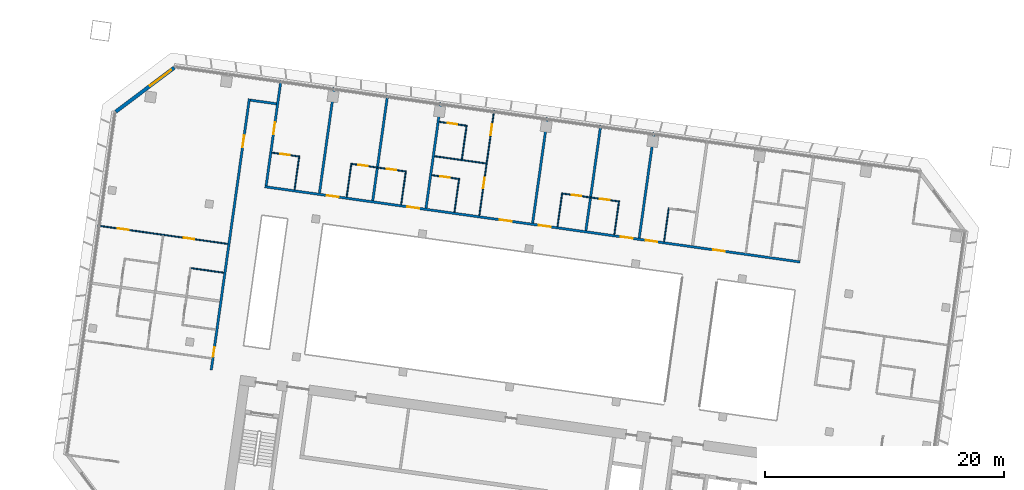
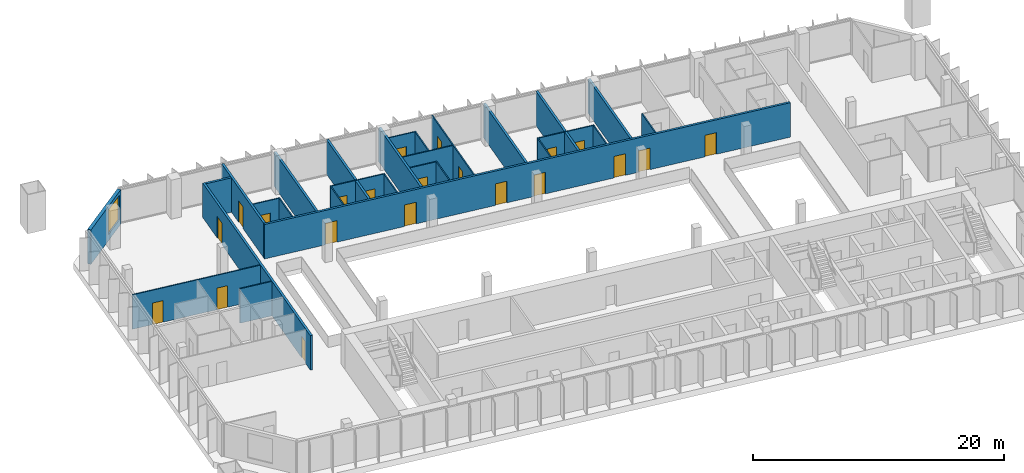
# One storey, part 16 of 26: 28 walls, 21 doors, 1 window, 22 openings.
"""IFC4 building model written with IfcOpenShell, lengths in metres."""

from ifc_helpers import new_model, si_unit, direction, frame, frame_2d, origin, place, context, subcontext, project, spatial, rectangle, extrude, material, layer, layer_set, type_object, element, fill, save


model = new_model("IFC4")

# Units and contexts
model_context = context("Model", 3, precision=1e-05, world=origin(), true_north=direction((0.0, 1.0)))
body_context = subcontext(model_context, "Body", "Model", "MODEL_VIEW")
ifc_project = project(units=[si_unit("LENGTHUNIT", "METRE"), si_unit("AREAUNIT", "SQUARE_METRE"), si_unit("VOLUMEUNIT", "CUBIC_METRE"), si_unit("PLANEANGLEUNIT", "RADIAN"), si_unit("MASSUNIT", "GRAM", prefix="KILO")], contexts=[model_context])

# Site, building, storey
site_placement = place(None, origin())
site = spatial("IfcSite", under=ifc_project, at=site_placement, CompositionType="ELEMENT")
building_placement = place(site_placement, origin())
building = spatial("IfcBuilding", under=site, at=building_placement, Name="Mirante Cascada Hotel Towers", CompositionType="ELEMENT")
storey_placement = place(building_placement, frame((0.0, 0.0, 106.3)))
storey = spatial("IfcBuildingStorey", under=building, at=storey_placement, Name="L23", CompositionType="ELEMENT", Elevation=106.3)

# Wall, openings, doors
ifc_material_1 = material(Name="Fire-rated plasterboard on metal studs")
ifc_layer_1 = layer(ifc_material_1, 0.2)
ifc_layer_set_1 = layer_set([ifc_layer_1], Name="Compartment wall 200 EI 120")
wall_type_1 = type_object("IfcWallType", Name="Compartment wall 200 EI 120", PredefinedType="PARTITIONING", material=ifc_layer_set_1)
wall_1_placement = place(storey_placement, frame((-41.8779, 9.7676, 0.0), z_axis=(0.0, 0.0, 1.0), x_axis=(-0.9902681, 0.1391726, 0.0)))
wall_1 = element("IfcWall", 1, at=wall_1_placement, inside=storey, type_object=wall_type_1, Name="Wall 1-L23-18", PredefinedType="PARTITIONING", context=body_context, shape_type="SweptSolid", body=[
    extrude(rectangle(XDim=45.2, YDim=0.2, at=frame_2d((22.6, 0.0))), origin(), (0.0, 0.0, 1.0), 3.35),
])
opening_1_placement = place(wall_1_placement, frame((6.35, 0.0, 0.0)))
opening_1 = element("IfcOpeningElement", 2, at=opening_1_placement, cuts=wall_1, Name="Opening D1-L23-09", PredefinedType="OPENING", context=body_context, shape_type="SweptSolid", body=[
    extrude(rectangle(XDim=1.0, YDim=2.1, at=frame_2d((0.5, 1.05))), frame((0.0, 0.1, 0.0), z_axis=(0.0, -1.0, 0.0), x_axis=(1.0, 0.0, 0.0)), (0.0, 0.0, 1.0), 0.2),
])
opening_2_placement = place(wall_1_placement, frame((12.05, 0.0, 0.0)))
opening_2 = element("IfcOpeningElement", 3, at=opening_2_placement, cuts=wall_1, Name="Opening D1-L23-10", PredefinedType="OPENING", context=body_context, shape_type="SweptSolid", body=[
    extrude(rectangle(XDim=1.0, YDim=2.1, at=frame_2d((0.5, 1.05))), frame((0.0, 0.1, 0.0), z_axis=(0.0, -1.0, 0.0), x_axis=(1.0, 0.0, 0.0)), (0.0, 0.0, 1.0), 0.2),
])
opening_3_placement = place(wall_1_placement, frame((14.15, 0.0, 0.0)))
opening_3 = element("IfcOpeningElement", 4, at=opening_3_placement, cuts=wall_1, Name="Opening D1-L23-11", PredefinedType="OPENING", context=body_context, shape_type="SweptSolid", body=[
    extrude(rectangle(XDim=1.0, YDim=2.1, at=frame_2d((0.5, 1.05))), frame((0.0, 0.1, 0.0), z_axis=(0.0, -1.0, 0.0), x_axis=(1.0, 0.0, 0.0)), (0.0, 0.0, 1.0), 0.2),
])
opening_4_placement = place(wall_1_placement, frame((21.05, 0.0, 0.0)))
opening_4 = element("IfcOpeningElement", 5, at=opening_4_placement, cuts=wall_1, Name="Opening D1-L23-12", PredefinedType="OPENING", context=body_context, shape_type="SweptSolid", body=[
    extrude(rectangle(XDim=1.0, YDim=2.1, at=frame_2d((0.5, 1.05))), frame((0.0, 0.1, 0.0), z_axis=(0.0, -1.0, 0.0), x_axis=(1.0, 0.0, 0.0)), (0.0, 0.0, 1.0), 0.2),
])
opening_5_placement = place(wall_1_placement, frame((24.35, 0.0, 0.0)))
opening_5 = element("IfcOpeningElement", 6, at=opening_5_placement, cuts=wall_1, Name="Opening D1-L23-13", PredefinedType="OPENING", context=body_context, shape_type="SweptSolid", body=[
    extrude(rectangle(XDim=1.0, YDim=2.1, at=frame_2d((0.5, 1.05))), frame((0.0, 0.1, 0.0), z_axis=(0.0, -1.0, 0.0), x_axis=(1.0, 0.0, 0.0)), (0.0, 0.0, 1.0), 0.2),
])
opening_6_placement = place(wall_1_placement, frame((32.15, 0.0, 0.0)))
opening_6 = element("IfcOpeningElement", 7, at=opening_6_placement, cuts=wall_1, Name="Opening D1-L23-14", PredefinedType="OPENING", context=body_context, shape_type="SweptSolid", body=[
    extrude(rectangle(XDim=1.0, YDim=2.1, at=frame_2d((0.5, 1.05))), frame((0.0, 0.1, 0.0), z_axis=(0.0, -1.0, 0.0), x_axis=(1.0, 0.0, 0.0)), (0.0, 0.0, 1.0), 0.2),
])
opening_7_placement = place(wall_1_placement, frame((38.95, 0.0, 0.0)))
opening_7 = element("IfcOpeningElement", 8, at=opening_7_placement, cuts=wall_1, Name="Opening D1-L23-15", PredefinedType="OPENING", context=body_context, shape_type="SweptSolid", body=[
    extrude(rectangle(XDim=1.0, YDim=2.1, at=frame_2d((0.5, 1.05))), frame((0.0, 0.1, 0.0), z_axis=(0.0, -1.0, 0.0), x_axis=(1.0, 0.0, 0.0)), (0.0, 0.0, 1.0), 0.2),
])
ifc_material_2 = material(Name="Fire-rated timber door leaf", Category="wood")
door_type_1 = type_object("IfcDoorType", Name="Entrance door DG1 1000x2100 EI 60", OperationType="SINGLE_SWING_LEFT", PredefinedType="DOOR", material=ifc_material_2)
door_1_placement = place(opening_1_placement, frame((1.0, 0.0, 0.0), z_axis=(0.0, 0.0, 1.0), x_axis=(-1.0, 0.0, 0.0)))
door_1 = element("IfcDoor", 9, at=door_1_placement, inside=storey, type_object=door_type_1, Name="Door D1-L23-09", OperationType="SINGLE_SWING_RIGHT", OverallHeight=2.1, OverallWidth=1.0, PredefinedType="DOOR", context=body_context, shape_type="SweptSolid", body=[
    extrude(rectangle(XDim=1.0, YDim=2.1, at=frame_2d((0.5, 1.05))), frame((0.0, 0.025, 0.0), z_axis=(0.0, -1.0, 0.0), x_axis=(1.0, 0.0, 0.0)), (0.0, 0.0, 1.0), 0.05),
])
fill(opening_1, door_1)
door_2_placement = place(opening_2_placement, frame((1.0, 0.0, 0.0), z_axis=(0.0, 0.0, 1.0), x_axis=(-1.0, 0.0, 0.0)))
door_2 = element("IfcDoor", 10, at=door_2_placement, inside=storey, type_object=door_type_1, Name="Door D1-L23-10", OperationType="SINGLE_SWING_RIGHT", OverallHeight=2.1, OverallWidth=1.0, PredefinedType="DOOR", context=body_context, shape_type="SweptSolid", body=[
    extrude(rectangle(XDim=1.0, YDim=2.1, at=frame_2d((0.5, 1.05))), frame((0.0, 0.025, 0.0), z_axis=(0.0, -1.0, 0.0), x_axis=(1.0, 0.0, 0.0)), (0.0, 0.0, 1.0), 0.05),
])
fill(opening_2, door_2)
door_3_placement = place(opening_3_placement, frame((1.0, 0.0, 0.0), z_axis=(0.0, 0.0, 1.0), x_axis=(-1.0, 0.0, 0.0)))
door_3 = element("IfcDoor", 11, at=door_3_placement, inside=storey, type_object=door_type_1, Name="Door D1-L23-11", OperationType="SINGLE_SWING_RIGHT", OverallHeight=2.1, OverallWidth=1.0, PredefinedType="DOOR", context=body_context, shape_type="SweptSolid", body=[
    extrude(rectangle(XDim=1.0, YDim=2.1, at=frame_2d((0.5, 1.05))), frame((0.0, 0.025, 0.0), z_axis=(0.0, -1.0, 0.0), x_axis=(1.0, 0.0, 0.0)), (0.0, 0.0, 1.0), 0.05),
])
fill(opening_3, door_3)
door_4_placement = place(opening_4_placement, frame((1.0, 0.0, 0.0), z_axis=(0.0, 0.0, 1.0), x_axis=(-1.0, 0.0, 0.0)))
door_4 = element("IfcDoor", 12, at=door_4_placement, inside=storey, type_object=door_type_1, Name="Door D1-L23-12", OperationType="SINGLE_SWING_RIGHT", OverallHeight=2.1, OverallWidth=1.0, PredefinedType="DOOR", context=body_context, shape_type="SweptSolid", body=[
    extrude(rectangle(XDim=1.0, YDim=2.1, at=frame_2d((0.5, 1.05))), frame((0.0, 0.025, 0.0), z_axis=(0.0, -1.0, 0.0), x_axis=(1.0, 0.0, 0.0)), (0.0, 0.0, 1.0), 0.05),
])
fill(opening_4, door_4)
door_5_placement = place(opening_5_placement, frame((1.0, 0.0, 0.0), z_axis=(0.0, 0.0, 1.0), x_axis=(-1.0, 0.0, 0.0)))
door_5 = element("IfcDoor", 13, at=door_5_placement, inside=storey, type_object=door_type_1, Name="Door D1-L23-13", OperationType="SINGLE_SWING_RIGHT", OverallHeight=2.1, OverallWidth=1.0, PredefinedType="DOOR", context=body_context, shape_type="SweptSolid", body=[
    extrude(rectangle(XDim=1.0, YDim=2.1, at=frame_2d((0.5, 1.05))), frame((0.0, 0.025, 0.0), z_axis=(0.0, -1.0, 0.0), x_axis=(1.0, 0.0, 0.0)), (0.0, 0.0, 1.0), 0.05),
])
fill(opening_5, door_5)
door_6_placement = place(opening_6_placement, frame((1.0, 0.0, 0.0), z_axis=(0.0, 0.0, 1.0), x_axis=(-1.0, 0.0, 0.0)))
door_6 = element("IfcDoor", 14, at=door_6_placement, inside=storey, type_object=door_type_1, Name="Door D1-L23-14", OperationType="SINGLE_SWING_RIGHT", OverallHeight=2.1, OverallWidth=1.0, PredefinedType="DOOR", context=body_context, shape_type="SweptSolid", body=[
    extrude(rectangle(XDim=1.0, YDim=2.1, at=frame_2d((0.5, 1.05))), frame((0.0, 0.025, 0.0), z_axis=(0.0, -1.0, 0.0), x_axis=(1.0, 0.0, 0.0)), (0.0, 0.0, 1.0), 0.05),
])
fill(opening_6, door_6)
door_7_placement = place(opening_7_placement, frame((1.0, 0.0, 0.0), z_axis=(0.0, 0.0, 1.0), x_axis=(-1.0, 0.0, 0.0)))
door_7 = element("IfcDoor", 15, at=door_7_placement, inside=storey, type_object=door_type_1, Name="Door D1-L23-15", OperationType="SINGLE_SWING_RIGHT", OverallHeight=2.1, OverallWidth=1.0, PredefinedType="DOOR", context=body_context, shape_type="SweptSolid", body=[
    extrude(rectangle(XDim=1.0, YDim=2.1, at=frame_2d((0.5, 1.05))), frame((0.0, 0.025, 0.0), z_axis=(0.0, -1.0, 0.0), x_axis=(1.0, 0.0, 0.0)), (0.0, 0.0, 1.0), 0.05),
])
fill(opening_7, door_7)

# Walls
wall_2_placement = place(storey_placement, frame((-87.8424, 23.2963, 0.0), z_axis=(0.0, 0.0, 1.0), x_axis=(0.990267, -0.139181, 0.0)))
element("IfcWall", 16, at=wall_2_placement, inside=storey, type_object=wall_type_1, Name="Wall 1-L23-29", PredefinedType="PARTITIONING", context=body_context, shape_type="SweptSolid", body=[
    extrude(rectangle(XDim=2.2, YDim=0.2, at=frame_2d((1.1, 0.0))), origin(), (0.0, 0.0, 1.0), 3.35),
])
wall_3_placement = place(storey_placement, frame((-54.0929, 20.5728, 0.0), z_axis=(0.0, 0.0, 1.0), x_axis=(-0.1391794, -0.9902672, 0.0)))
element("IfcWall", 17, at=wall_3_placement, inside=storey, type_object=wall_type_1, Name="Wall 1-L23-45", PredefinedType="PARTITIONING", context=body_context, shape_type="SweptSolid", body=[
    extrude(rectangle(XDim=8.9, YDim=0.2, at=frame_2d((4.45, 0.0))), origin(), (0.0, 0.0, 1.0), 3.35),
])
wall_4_placement = place(storey_placement, frame((-58.5492, 21.199, 0.0), z_axis=(0.0, 0.0, 1.0), x_axis=(-0.13917, -0.9902685, 0.0)))
element("IfcWall", 18, at=wall_4_placement, inside=storey, type_object=wall_type_1, Name="Wall 1-L23-47", PredefinedType="PARTITIONING", context=body_context, shape_type="SweptSolid", body=[
    extrude(rectangle(XDim=8.8999, YDim=0.2, at=frame_2d((4.45, 0.0))), origin(), (0.0, 0.0, 1.0), 3.35),
])
for number, where, z_axis, x_axis, name in (
    (19, (-63.0054, 21.8253, 0.0), (0.0, 0.0, 1.0), (-0.1391684, -0.9902687, 0.0), "Wall 1-L23-49"),
    (20, (-71.9178, 23.0779, 0.0), (0.0, 0.0, 1.0), (-0.1391684, -0.9902687, 0.0), "Wall 1-L23-53"),
    (21, (-76.374, 23.7042, 0.0), (0.0, 0.0, 1.0), (-0.1391684, -0.9902687, 0.0), "Wall 1-L23-55"),
):
    element("IfcWall", number, at=place(storey_placement, frame(where, z_axis=z_axis, x_axis=x_axis)), inside=storey, type_object=wall_type_1, Name=name, PredefinedType="PARTITIONING", context=body_context, shape_type="SweptSolid", body=[
        extrude(rectangle(XDim=8.9, YDim=0.2, at=frame_2d((4.45, 0.0))), origin(), (0.0, 0.0, 1.0), 3.35),
    ])
wall_5_placement = place(storey_placement, frame((-80.8302, 24.3304, 0.0), z_axis=(0.0, 0.0, 1.0), x_axis=(-0.13917, -0.9902685, 0.0)))
element("IfcWall", 22, at=wall_5_placement, inside=storey, type_object=wall_type_1, Name="Wall 1-L23-57", PredefinedType="PARTITIONING", context=body_context, shape_type="SweptSolid", body=[
    extrude(rectangle(XDim=8.8999, YDim=0.2, at=frame_2d((4.45, 0.0))), origin(), (0.0, 0.0, 1.0), 3.35),
])

# Wall, opening, door
wall_6_placement = place(storey_placement, frame((-85.2864, 24.9567, 0.0), z_axis=(0.0, 0.0, 1.0), x_axis=(-0.1391684, -0.9902687, 0.0)))
wall_6 = element("IfcWall", 23, at=wall_6_placement, inside=storey, type_object=wall_type_1, Name="Wall 1-L23-59", PredefinedType="PARTITIONING", context=body_context, shape_type="SweptSolid", body=[
    extrude(rectangle(XDim=8.9, YDim=0.2, at=frame_2d((4.45, 0.0))), origin(), (0.0, 0.0, 1.0), 3.35),
])
opening_8_placement = place(wall_6_placement, frame((3.55, 0.0, 0.0)))
opening_8 = element("IfcOpeningElement", 24, at=opening_8_placement, cuts=wall_6, Name="Opening D1-L23-36", PredefinedType="OPENING", context=body_context, shape_type="SweptSolid", body=[
    extrude(rectangle(XDim=1.0, YDim=2.1, at=frame_2d((0.5, 1.05))), frame((0.0, 0.1, 0.0), z_axis=(0.0, -1.0, 0.0), x_axis=(1.0, 0.0, 0.0)), (0.0, 0.0, 1.0), 0.2),
])
door_8_placement = place(opening_8_placement, origin())
door_8 = element("IfcDoor", 25, at=door_8_placement, inside=storey, type_object=door_type_1, Name="Door D1-L23-36", OperationType="SINGLE_SWING_LEFT", OverallHeight=2.1, OverallWidth=1.0, PredefinedType="DOOR", context=body_context, shape_type="SweptSolid", body=[
    extrude(rectangle(XDim=1.0, YDim=2.1, at=frame_2d((0.5, 1.05))), frame((0.0, 0.025, 0.0), z_axis=(0.0, -1.0, 0.0), x_axis=(1.0, 0.0, 0.0)), (0.0, 0.0, 1.0), 0.05),
])
fill(opening_8, door_8)

# Wall, openings, doors
wall_7_placement = place(storey_placement, frame((-91.1145, 0.7321, 0.0), z_axis=(0.0, 0.0, 1.0), x_axis=(0.1391706, 0.9902684, 0.0)))
wall_7 = element("IfcWall", 26, at=wall_7_placement, inside=storey, type_object=wall_type_1, Name="Wall 1-L23-60", PredefinedType="PARTITIONING", context=body_context, shape_type="SweptSolid", body=[
    extrude(rectangle(XDim=22.9, YDim=0.2, at=frame_2d((11.45, 0.0))), origin(), (0.0, 0.0, 1.0), 3.35),
])
opening_9_placement = place(wall_7_placement, frame((1.1167, 0.0, 0.0)))
opening_9 = element("IfcOpeningElement", 27, at=opening_9_placement, cuts=wall_7, Name="Opening D1-L23-37", PredefinedType="OPENING", context=body_context, shape_type="SweptSolid", body=[
    extrude(rectangle(XDim=0.8, YDim=2.1, at=frame_2d((0.4, 1.05))), frame((0.0, 0.1, 0.0), z_axis=(0.0, -1.0, 0.0), x_axis=(1.0, 0.0, 0.0)), (0.0, 0.0, 1.0), 0.2),
])
opening_10_placement = place(wall_7_placement, frame((18.8, 0.0, 0.0)))
opening_10 = element("IfcOpeningElement", 28, at=opening_10_placement, cuts=wall_7, Name="Opening D1-L23-38", PredefinedType="OPENING", context=body_context, shape_type="SweptSolid", body=[
    extrude(rectangle(XDim=1.0, YDim=2.1, at=frame_2d((0.5, 1.05))), frame((0.0, 0.1, 0.0), z_axis=(0.0, -1.0, 0.0), x_axis=(1.0, 0.0, 0.0)), (0.0, 0.0, 1.0), 0.2),
])
ifc_material_3 = material(Name="Fire-rated timber door leaf", Category="wood")
door_type_2 = type_object("IfcDoorType", Name="Bathroom door DG4 800x2100 EI 60", OperationType="SINGLE_SWING_LEFT", PredefinedType="DOOR", material=ifc_material_3)
door_9_placement = place(opening_9_placement, origin())
door_9 = element("IfcDoor", 29, at=door_9_placement, inside=storey, type_object=door_type_2, Name="Door D1-L23-37", OperationType="SINGLE_SWING_LEFT", OverallHeight=2.1, OverallWidth=0.8, PredefinedType="DOOR", context=body_context, shape_type="SweptSolid", body=[
    extrude(rectangle(XDim=0.8, YDim=2.1, at=frame_2d((0.4, 1.05))), frame((0.0, 0.025, 0.0), z_axis=(0.0, -1.0, 0.0), x_axis=(1.0, 0.0, 0.0)), (0.0, 0.0, 1.0), 0.05),
])
fill(opening_9, door_9)
door_10_placement = place(opening_10_placement, origin())
door_10 = element("IfcDoor", 30, at=door_10_placement, inside=storey, type_object=door_type_1, Name="Door D1-L23-38", OperationType="SINGLE_SWING_LEFT", OverallHeight=2.1, OverallWidth=1.0, PredefinedType="DOOR", context=body_context, shape_type="SweptSolid", body=[
    extrude(rectangle(XDim=1.0, YDim=2.1, at=frame_2d((0.5, 1.05))), frame((0.0, 0.025, 0.0), z_axis=(0.0, -1.0, 0.0), x_axis=(1.0, 0.0, 0.0)), (0.0, 0.0, 1.0), 0.05),
])
fill(opening_10, door_10)

# Wall
ifc_material_4 = material(Name="Plasterboard on metal studs")
ifc_layer_2 = layer(ifc_material_4, 0.1)
ifc_layer_set_2 = layer_set([ifc_layer_2], Name="Partition 100")
wall_type_2 = type_object("IfcWallType", Name="Partition 100", PredefinedType="PARTITIONING", material=ifc_layer_set_2)
wall_8_placement = place(storey_placement, frame((-90.0723, 8.8662, 0.0), z_axis=(0.0, 0.0, 1.0), x_axis=(-0.9902698, 0.1391607, 0.0)))
element("IfcWall", 31, at=wall_8_placement, inside=storey, type_object=wall_type_2, Name="Wall 1-L23-14", PredefinedType="PARTITIONING", context=body_context, shape_type="SweptSolid", body=[
    extrude(rectangle(XDim=2.7501, YDim=0.1, at=frame_2d((1.3751, 0.0))), origin(), (0.0, 0.0, 1.0), 3.35),
])

# Wall, openings, doors
wall_9_placement = place(storey_placement, frame((-100.6266, 12.8067, 0.0), z_axis=(0.0, 0.0, 1.0), x_axis=(0.990268, -0.1391733, 0.0)))
wall_9 = element("IfcWall", 32, at=wall_9_placement, inside=storey, type_object=wall_type_2, Name="Wall 1-L23-17", PredefinedType="PARTITIONING", context=body_context, shape_type="SweptSolid", body=[
    extrude(rectangle(XDim=11.0, YDim=0.1, at=frame_2d((5.5, 0.0))), origin(), (0.0, 0.0, 1.0), 3.35),
])
opening_11_placement = place(wall_9_placement, frame((7.275, 0.0, 0.0)))
opening_11 = element("IfcOpeningElement", 33, at=opening_11_placement, cuts=wall_9, Name="Opening D1-L23-07", PredefinedType="OPENING", context=body_context, shape_type="SweptSolid", body=[
    extrude(rectangle(XDim=0.9, YDim=2.1, at=frame_2d((0.45, 1.05))), frame((0.0, 0.05, 0.0), z_axis=(0.0, -1.0, 0.0), x_axis=(1.0, 0.0, 0.0)), (0.0, 0.0, 1.0), 0.1),
])
opening_12_placement = place(wall_9_placement, frame((1.725, 0.0, 0.0)))
opening_12 = element("IfcOpeningElement", 34, at=opening_12_placement, cuts=wall_9, Name="Opening D1-L23-08", PredefinedType="OPENING", context=body_context, shape_type="SweptSolid", body=[
    extrude(rectangle(XDim=0.9, YDim=2.1, at=frame_2d((0.45, 1.05))), frame((0.0, 0.05, 0.0), z_axis=(0.0, -1.0, 0.0), x_axis=(1.0, 0.0, 0.0)), (0.0, 0.0, 1.0), 0.1),
])
ifc_material_5 = material(Name="Timber door leaf", Category="wood")
door_type_3 = type_object("IfcDoorType", Name="Room door DG3 900x2100", OperationType="SINGLE_SWING_LEFT", PredefinedType="DOOR", material=ifc_material_5)
door_11_placement = place(opening_11_placement, origin())
door_11 = element("IfcDoor", 35, at=door_11_placement, inside=storey, type_object=door_type_3, Name="Door D1-L23-07", OperationType="SINGLE_SWING_LEFT", OverallHeight=2.1, OverallWidth=0.9, PredefinedType="DOOR", context=body_context, shape_type="SweptSolid", body=[
    extrude(rectangle(XDim=0.9, YDim=2.1, at=frame_2d((0.45, 1.05))), frame((0.0, 0.025, 0.0), z_axis=(0.0, -1.0, 0.0), x_axis=(1.0, 0.0, 0.0)), (0.0, 0.0, 1.0), 0.05),
])
fill(opening_11, door_11)
door_12_placement = place(opening_12_placement, origin())
door_12 = element("IfcDoor", 36, at=door_12_placement, inside=storey, type_object=door_type_3, Name="Door D1-L23-08", OperationType="SINGLE_SWING_LEFT", OverallHeight=2.1, OverallWidth=0.9, PredefinedType="DOOR", context=body_context, shape_type="SweptSolid", body=[
    extrude(rectangle(XDim=0.9, YDim=2.1, at=frame_2d((0.45, 1.05))), frame((0.0, 0.025, 0.0), z_axis=(0.0, -1.0, 0.0), x_axis=(1.0, 0.0, 0.0)), (0.0, 0.0, 1.0), 0.05),
])
fill(opening_12, door_12)

wall_10_placement = place(storey_placement, frame((-61.8243, 15.4994, 0.0), z_axis=(0.0, 0.0, 1.0), x_axis=(0.9902666, -0.1391838, 0.0)))
wall_10 = element("IfcWall", 37, at=wall_10_placement, inside=storey, type_object=wall_type_2, Name="Wall 1-L23-21", PredefinedType="PARTITIONING", context=body_context, shape_type="SweptSolid", body=[
    extrude(rectangle(XDim=4.9, YDim=0.1, at=frame_2d((2.45, 0.0))), origin(), (0.0, 0.0, 1.0), 3.35),
])
opening_13_placement = place(wall_10_placement, frame((3.25, 0.0, 0.0)))
opening_13 = element("IfcOpeningElement", 38, at=opening_13_placement, cuts=wall_10, Name="Opening D1-L23-18", PredefinedType="OPENING", context=body_context, shape_type="SweptSolid", body=[
    extrude(rectangle(XDim=0.8, YDim=2.1, at=frame_2d((0.4, 1.05))), frame((0.0, 0.05, 0.0), z_axis=(0.0, -1.0, 0.0), x_axis=(1.0, 0.0, 0.0)), (0.0, 0.0, 1.0), 0.1),
])
opening_14_placement = place(wall_10_placement, frame((0.85, 0.0, 0.0)))
opening_14 = element("IfcOpeningElement", 39, at=opening_14_placement, cuts=wall_10, Name="Opening D1-L23-19", PredefinedType="OPENING", context=body_context, shape_type="SweptSolid", body=[
    extrude(rectangle(XDim=0.8, YDim=2.1, at=frame_2d((0.4, 1.05))), frame((0.0, 0.05, 0.0), z_axis=(0.0, -1.0, 0.0), x_axis=(1.0, 0.0, 0.0)), (0.0, 0.0, 1.0), 0.1),
])
ifc_material_6 = material(Name="Timber door leaf", Category="wood")
door_type_4 = type_object("IfcDoorType", Name="Bathroom door DG4 800x2100", OperationType="SINGLE_SWING_LEFT", PredefinedType="DOOR", material=ifc_material_6)
door_13_placement = place(opening_13_placement, origin())
door_13 = element("IfcDoor", 40, at=door_13_placement, inside=storey, type_object=door_type_4, Name="Door D1-L23-18", OperationType="SINGLE_SWING_LEFT", OverallHeight=2.1, OverallWidth=0.8, PredefinedType="DOOR", context=body_context, shape_type="SweptSolid", body=[
    extrude(rectangle(XDim=0.8, YDim=2.1, at=frame_2d((0.4, 1.05))), frame((0.0, 0.025, 0.0), z_axis=(0.0, -1.0, 0.0), x_axis=(1.0, 0.0, 0.0)), (0.0, 0.0, 1.0), 0.05),
])
fill(opening_13, door_13)
door_14_placement = place(opening_14_placement, origin())
door_14 = element("IfcDoor", 41, at=door_14_placement, inside=storey, type_object=door_type_4, Name="Door D1-L23-19", OperationType="SINGLE_SWING_LEFT", OverallHeight=2.1, OverallWidth=0.8, PredefinedType="DOOR", context=body_context, shape_type="SweptSolid", body=[
    extrude(rectangle(XDim=0.8, YDim=2.1, at=frame_2d((0.4, 1.05))), frame((0.0, 0.025, 0.0), z_axis=(0.0, -1.0, 0.0), x_axis=(1.0, 0.0, 0.0)), (0.0, 0.0, 1.0), 0.05),
])
fill(opening_14, door_14)

# Wall, opening, door
wall_11_placement = place(storey_placement, frame((-70.4396, 16.7102, 0.0), z_axis=(0.0, 0.0, 1.0), x_axis=(-0.9902705, 0.1391561, 0.0)))
wall_11 = element("IfcWall", 42, at=wall_11_placement, inside=storey, type_object=wall_type_2, Name="Wall 1-L23-22", PredefinedType="PARTITIONING", context=body_context, shape_type="SweptSolid", body=[
    extrude(rectangle(XDim=2.25, YDim=0.1, at=frame_2d((1.125, 0.0))), origin(), (0.0, 0.0, 1.0), 3.35),
])
opening_15_placement = place(wall_11_placement, frame((0.75, 0.0, 0.0)))
opening_15 = element("IfcOpeningElement", 43, at=opening_15_placement, cuts=wall_11, Name="Opening D1-L23-20", PredefinedType="OPENING", context=body_context, shape_type="SweptSolid", body=[
    extrude(rectangle(XDim=0.8, YDim=2.1, at=frame_2d((0.4, 1.05))), frame((0.0, 0.05, 0.0), z_axis=(0.0, -1.0, 0.0), x_axis=(1.0, 0.0, 0.0)), (0.0, 0.0, 1.0), 0.1),
])
door_15_placement = place(opening_15_placement, origin())
door_15 = element("IfcDoor", 44, at=door_15_placement, inside=storey, type_object=door_type_4, Name="Door D1-L23-20", OperationType="SINGLE_SWING_LEFT", OverallHeight=2.1, OverallWidth=0.8, PredefinedType="DOOR", context=body_context, shape_type="SweptSolid", body=[
    extrude(rectangle(XDim=0.8, YDim=2.1, at=frame_2d((0.4, 1.05))), frame((0.0, 0.025, 0.0), z_axis=(0.0, -1.0, 0.0), x_axis=(1.0, 0.0, 0.0)), (0.0, 0.0, 1.0), 0.05),
])
fill(opening_15, door_15)

# Wall, openings, doors
wall_12_placement = place(storey_placement, frame((-79.451, 17.9767, 0.0), z_axis=(0.0, 0.0, 1.0), x_axis=(0.9902682, -0.139172, 0.0)))
wall_12 = element("IfcWall", 45, at=wall_12_placement, inside=storey, type_object=wall_type_2, Name="Wall 1-L23-23", PredefinedType="PARTITIONING", context=body_context, shape_type="SweptSolid", body=[
    extrude(rectangle(XDim=4.6999, YDim=0.1, at=frame_2d((2.35, 0.0))), origin(), (0.0, 0.0, 1.0), 3.35),
])
opening_16_placement = place(wall_12_placement, frame((3.05, 0.0, 0.0)))
opening_16 = element("IfcOpeningElement", 46, at=opening_16_placement, cuts=wall_12, Name="Opening D1-L23-21", PredefinedType="OPENING", context=body_context, shape_type="SweptSolid", body=[
    extrude(rectangle(XDim=0.8, YDim=2.1, at=frame_2d((0.4, 1.05))), frame((0.0, 0.05, 0.0), z_axis=(0.0, -1.0, 0.0), x_axis=(1.0, 0.0, 0.0)), (0.0, 0.0, 1.0), 0.1),
])
opening_17_placement = place(wall_12_placement, frame((0.65, 0.0, 0.0)))
opening_17 = element("IfcOpeningElement", 47, at=opening_17_placement, cuts=wall_12, Name="Opening D1-L23-22", PredefinedType="OPENING", context=body_context, shape_type="SweptSolid", body=[
    extrude(rectangle(XDim=0.8, YDim=2.1, at=frame_2d((0.4, 1.05))), frame((0.0, 0.05, 0.0), z_axis=(0.0, -1.0, 0.0), x_axis=(1.0, 0.0, 0.0)), (0.0, 0.0, 1.0), 0.1),
])
door_16_placement = place(opening_16_placement, origin())
door_16 = element("IfcDoor", 48, at=door_16_placement, inside=storey, type_object=door_type_4, Name="Door D1-L23-21", OperationType="SINGLE_SWING_LEFT", OverallHeight=2.1, OverallWidth=0.8, PredefinedType="DOOR", context=body_context, shape_type="SweptSolid", body=[
    extrude(rectangle(XDim=0.8, YDim=2.1, at=frame_2d((0.4, 1.05))), frame((0.0, 0.025, 0.0), z_axis=(0.0, -1.0, 0.0), x_axis=(1.0, 0.0, 0.0)), (0.0, 0.0, 1.0), 0.05),
])
fill(opening_16, door_16)
door_17_placement = place(opening_17_placement, origin())
door_17 = element("IfcDoor", 49, at=door_17_placement, inside=storey, type_object=door_type_4, Name="Door D1-L23-22", OperationType="SINGLE_SWING_LEFT", OverallHeight=2.1, OverallWidth=0.8, PredefinedType="DOOR", context=body_context, shape_type="SweptSolid", body=[
    extrude(rectangle(XDim=0.8, YDim=2.1, at=frame_2d((0.4, 1.05))), frame((0.0, 0.025, 0.0), z_axis=(0.0, -1.0, 0.0), x_axis=(1.0, 0.0, 0.0)), (0.0, 0.0, 1.0), 0.05),
])
fill(opening_17, door_17)

# Wall, opening, door
wall_13_placement = place(storey_placement, frame((-83.8082, 18.589, 0.0), z_axis=(0.0, 0.0, 1.0), x_axis=(-0.9902643, 0.1391997, 0.0)))
wall_13 = element("IfcWall", 50, at=wall_13_placement, inside=storey, type_object=wall_type_2, Name="Wall 1-L23-24", PredefinedType="PARTITIONING", context=body_context, shape_type="SweptSolid", body=[
    extrude(rectangle(XDim=2.25, YDim=0.1, at=frame_2d((1.125, 0.0))), origin(), (0.0, 0.0, 1.0), 3.35),
])
opening_18_placement = place(wall_13_placement, frame((0.75, 0.0, 0.0)))
opening_18 = element("IfcOpeningElement", 51, at=opening_18_placement, cuts=wall_13, Name="Opening D1-L23-23", PredefinedType="OPENING", context=body_context, shape_type="SweptSolid", body=[
    extrude(rectangle(XDim=0.8, YDim=2.1, at=frame_2d((0.4, 1.05))), frame((0.0, 0.05, 0.0), z_axis=(0.0, -1.0, 0.0), x_axis=(1.0, 0.0, 0.0)), (0.0, 0.0, 1.0), 0.1),
])
door_18_placement = place(opening_18_placement, frame((0.8, 0.0, 0.0), z_axis=(0.0, 0.0, 1.0), x_axis=(-1.0, 0.0, 0.0)))
door_18 = element("IfcDoor", 52, at=door_18_placement, inside=storey, type_object=door_type_4, Name="Door D1-L23-23", OperationType="SINGLE_SWING_RIGHT", OverallHeight=2.1, OverallWidth=0.8, PredefinedType="DOOR", context=body_context, shape_type="SweptSolid", body=[
    extrude(rectangle(XDim=0.8, YDim=2.1, at=frame_2d((0.4, 1.05))), frame((0.0, 0.025, 0.0), z_axis=(0.0, -1.0, 0.0), x_axis=(1.0, 0.0, 0.0)), (0.0, 0.0, 1.0), 0.05),
])
fill(opening_18, door_18)

# Wall
wall_14_placement = place(storey_placement, frame((-72.445, 18.6078, 0.0), z_axis=(0.0, 0.0, 1.0), x_axis=(0.9902679, -0.1391745, 0.0)))
element("IfcWall", 53, at=wall_14_placement, inside=storey, type_object=wall_type_2, Name="Wall 1-L23-27", PredefinedType="PARTITIONING", context=body_context, shape_type="SweptSolid", body=[
    extrude(rectangle(XDim=4.3499, YDim=0.1, at=frame_2d((2.175, 0.0))), origin(), (0.0, 0.0, 1.0), 3.35),
])

# Wall, opening, door
wall_15_placement = place(storey_placement, frame((-72.0414, 21.4795, 0.0), z_axis=(0.0, 0.0, 1.0), x_axis=(0.9902705, -0.1391561, 0.0)))
wall_15 = element("IfcWall", 54, at=wall_15_placement, inside=storey, type_object=wall_type_2, Name="Wall 1-L23-31", PredefinedType="PARTITIONING", context=body_context, shape_type="SweptSolid", body=[
    extrude(rectangle(XDim=2.25, YDim=0.1, at=frame_2d((1.125, 0.0))), origin(), (0.0, 0.0, 1.0), 3.35),
])
opening_19_placement = place(wall_15_placement, frame((0.7, 0.0, 0.0)))
opening_19 = element("IfcOpeningElement", 55, at=opening_19_placement, cuts=wall_15, Name="Opening D1-L23-25", PredefinedType="OPENING", context=body_context, shape_type="SweptSolid", body=[
    extrude(rectangle(XDim=0.8, YDim=2.1, at=frame_2d((0.4, 1.05))), frame((0.0, 0.05, 0.0), z_axis=(0.0, -1.0, 0.0), x_axis=(1.0, 0.0, 0.0)), (0.0, 0.0, 1.0), 0.1),
])
door_19_placement = place(opening_19_placement, frame((0.8, 0.0, 0.0), z_axis=(0.0, 0.0, 1.0), x_axis=(-1.0, 0.0, 0.0)))
door_19 = element("IfcDoor", 56, at=door_19_placement, inside=storey, type_object=door_type_4, Name="Door D1-L23-25", OperationType="SINGLE_SWING_RIGHT", OverallHeight=2.1, OverallWidth=0.8, PredefinedType="DOOR", context=body_context, shape_type="SweptSolid", body=[
    extrude(rectangle(XDim=0.8, YDim=2.1, at=frame_2d((0.4, 1.05))), frame((0.0, 0.025, 0.0), z_axis=(0.0, -1.0, 0.0), x_axis=(1.0, 0.0, 0.0)), (0.0, 0.0, 1.0), 0.05),
])
fill(opening_19, door_19)

# Walls
wall_16_placement = place(storey_placement, frame((-53.252, 11.4671, 0.0), z_axis=(0.0, 0.0, 1.0), x_axis=(0.1391564, 0.9902704, 0.0)))
element("IfcWall", 57, at=wall_16_placement, inside=storey, type_object=wall_type_2, Name="Wall 1-L23-44", PredefinedType="PARTITIONING", context=body_context, shape_type="SweptSolid", body=[
    extrude(rectangle(XDim=2.85, YDim=0.1, at=frame_2d((1.425, 0.0))), origin(), (0.0, 0.0, 1.0), 3.35),
])
wall_17_placement = place(storey_placement, frame((-57.4112, 12.0516, 0.0), z_axis=(0.0, 0.0, 1.0), x_axis=(0.1391963, 0.9902648, 0.0)))
element("IfcWall", 58, at=wall_17_placement, inside=storey, type_object=wall_type_2, Name="Wall 1-L23-46", PredefinedType="PARTITIONING", context=body_context, shape_type="SweptSolid", body=[
    extrude(rectangle(XDim=2.7501, YDim=0.1, at=frame_2d((1.3751, 0.0))), origin(), (0.0, 0.0, 1.0), 3.35),
])
wall_18_placement = place(storey_placement, frame((-62.1644, 12.7197, 0.0), z_axis=(0.0, 0.0, 1.0), x_axis=(0.1391657, 0.9902691, 0.0)))
element("IfcWall", 59, at=wall_18_placement, inside=storey, type_object=wall_type_2, Name="Wall 1-L23-48", PredefinedType="PARTITIONING", context=body_context, shape_type="SweptSolid", body=[
    extrude(rectangle(XDim=2.75, YDim=0.1, at=frame_2d((1.375, 0.0))), origin(), (0.0, 0.0, 1.0), 3.35),
])

# Wall, openings, doors
wall_19_placement = place(storey_placement, frame((-68.7002, 13.6382, 0.0), z_axis=(0.0, 0.0, 1.0), x_axis=(0.1391684, 0.9902687, 0.0)))
wall_19 = element("IfcWall", 60, at=wall_19_placement, inside=storey, type_object=wall_type_2, Name="Wall 1-L23-50", PredefinedType="PARTITIONING", context=body_context, shape_type="SweptSolid", body=[
    extrude(rectangle(XDim=8.9, YDim=0.1, at=frame_2d((4.45, 0.0))), origin(), (0.0, 0.0, 1.0), 3.35),
])
opening_20_placement = place(wall_19_placement, frame((2.3, 0.0, 0.0)))
opening_20 = element("IfcOpeningElement", 61, at=opening_20_placement, cuts=wall_19, Name="Opening D1-L23-34", PredefinedType="OPENING", context=body_context, shape_type="SweptSolid", body=[
    extrude(rectangle(XDim=0.9, YDim=2.1, at=frame_2d((0.45, 1.05))), frame((0.0, 0.05, 0.0), z_axis=(0.0, -1.0, 0.0), x_axis=(1.0, 0.0, 0.0)), (0.0, 0.0, 1.0), 0.1),
])
opening_21_placement = place(wall_19_placement, frame((6.8, 0.0, 0.0)))
opening_21 = element("IfcOpeningElement", 62, at=opening_21_placement, cuts=wall_19, Name="Opening D1-L23-35", PredefinedType="OPENING", context=body_context, shape_type="SweptSolid", body=[
    extrude(rectangle(XDim=0.9, YDim=2.1, at=frame_2d((0.45, 1.05))), frame((0.0, 0.05, 0.0), z_axis=(0.0, -1.0, 0.0), x_axis=(1.0, 0.0, 0.0)), (0.0, 0.0, 1.0), 0.1),
])
door_20_placement = place(opening_20_placement, frame((0.9, 0.0, 0.0), z_axis=(0.0, 0.0, 1.0), x_axis=(-1.0, 0.0, 0.0)))
door_20 = element("IfcDoor", 63, at=door_20_placement, inside=storey, type_object=door_type_3, Name="Door D1-L23-34", OperationType="SINGLE_SWING_RIGHT", OverallHeight=2.1, OverallWidth=0.9, PredefinedType="DOOR", context=body_context, shape_type="SweptSolid", body=[
    extrude(rectangle(XDim=0.9, YDim=2.1, at=frame_2d((0.45, 1.05))), frame((0.0, 0.025, 0.0), z_axis=(0.0, -1.0, 0.0), x_axis=(1.0, 0.0, 0.0)), (0.0, 0.0, 1.0), 0.05),
])
fill(opening_20, door_20)
door_21_placement = place(opening_21_placement, frame((0.9, 0.0, 0.0), z_axis=(0.0, 0.0, 1.0), x_axis=(-1.0, 0.0, 0.0)))
door_21 = element("IfcDoor", 64, at=door_21_placement, inside=storey, type_object=door_type_3, Name="Door D1-L23-35", OperationType="SINGLE_SWING_RIGHT", OverallHeight=2.1, OverallWidth=0.9, PredefinedType="DOOR", context=body_context, shape_type="SweptSolid", body=[
    extrude(rectangle(XDim=0.9, YDim=2.1, at=frame_2d((0.45, 1.05))), frame((0.0, 0.025, 0.0), z_axis=(0.0, -1.0, 0.0), x_axis=(1.0, 0.0, 0.0)), (0.0, 0.0, 1.0), 0.05),
])
fill(opening_21, door_21)

# Walls
wall_20_placement = place(storey_placement, frame((-70.3831, 16.7527, 0.0), z_axis=(0.0, 0.0, 1.0), x_axis=(-0.1391957, -0.9902649, 0.0)))
element("IfcWall", 65, at=wall_20_placement, inside=storey, type_object=wall_type_2, Name="Wall 1-L23-51", PredefinedType="PARTITIONING", context=body_context, shape_type="SweptSolid", body=[
    extrude(rectangle(XDim=2.8499, YDim=0.1, at=frame_2d((1.425, 0.0))), origin(), (0.0, 0.0, 1.0), 3.35),
])
wall_21_placement = place(storey_placement, frame((-70.1605, 18.3372, 0.0), z_axis=(0.0, 0.0, 1.0), x_axis=(0.1392052, 0.9902636, 0.0)))
element("IfcWall", 66, at=wall_21_placement, inside=storey, type_object=wall_type_2, Name="Wall 1-L23-52", PredefinedType="PARTITIONING", context=body_context, shape_type="SweptSolid", body=[
    extrude(rectangle(XDim=2.9, YDim=0.1, at=frame_2d((1.45, 0.0))), origin(), (0.0, 0.0, 1.0), 3.35),
])
for number, where, z_axis, x_axis, name in (
    (67, (-75.236, 14.5568, 0.0), (0.0, 0.0, 1.0), (0.1391657, 0.9902691, 0.0), "Wall 1-L23-54"),
    (68, (-79.7912, 15.197, 0.0), (0.0, 0.0, 1.0), (0.1391657, 0.9902691, 0.0), "Wall 1-L23-56"),
):
    element("IfcWall", number, at=place(storey_placement, frame(where, z_axis=z_axis, x_axis=x_axis)), inside=storey, type_object=wall_type_2, Name=name, PredefinedType="PARTITIONING", context=body_context, shape_type="SweptSolid", body=[
        extrude(rectangle(XDim=2.75, YDim=0.1, at=frame_2d((1.375, 0.0))), origin(), (0.0, 0.0, 1.0), 3.35),
    ])
wall_22_placement = place(storey_placement, frame((-84.1484, 15.8093, 0.0), z_axis=(0.0, 0.0, 1.0), x_axis=(0.1391909, 0.9902656, 0.0)))
element("IfcWall", 69, at=wall_22_placement, inside=storey, type_object=wall_type_2, Name="Wall 1-L23-58", PredefinedType="PARTITIONING", context=body_context, shape_type="SweptSolid", body=[
    extrude(rectangle(XDim=2.85, YDim=0.1, at=frame_2d((1.425, 0.0))), origin(), (0.0, 0.0, 1.0), 3.35),
])

# Wall, opening, window
ifc_material_7 = material(Name="Precast concrete C40/50", Category="concrete")
ifc_layer_3 = layer(ifc_material_7, 0.3)
ifc_layer_set_3 = layer_set([ifc_layer_3], Name="Precast concrete C40/50 cladding wall 300")
wall_type_3 = type_object("IfcWallType", Name="Precast concrete C40/50 cladding wall 300", PredefinedType="STANDARD", material=ifc_layer_set_3)
wall_23_placement = place(storey_placement, frame((-99.0919, 22.3343, 0.0), z_axis=(0.0, 0.0, 1.0), x_axis=(0.7986362, 0.6018141, 0.0)))
wall_23 = element("IfcWall", 70, at=wall_23_placement, inside=storey, type_object=wall_type_3, Name="Corner cladding wall T1 L23 outer front", PredefinedType="STANDARD", context=body_context, shape_type="SweptSolid", body=[
    extrude(rectangle(XDim=6.1157, YDim=0.3, at=frame_2d((3.0578, 0.0))), origin(), (0.0, 0.0, 1.0), 3.35),
])
opening_22_placement = place(wall_23_placement, frame((3.595, 0.0, 0.6)))
opening_22 = element("IfcOpeningElement", 71, at=opening_22_placement, cuts=wall_23, Name="Opening W1-23-04", PredefinedType="OPENING", context=body_context, shape_type="SweptSolid", body=[
    extrude(rectangle(XDim=2.2, YDim=2.4, at=frame_2d((1.1, 1.2))), frame((0.0, 0.15, 0.0), z_axis=(0.0, -1.0, 0.0), x_axis=(1.0, 0.0, 0.0)), (0.0, 0.0, 1.0), 0.3),
])
ifc_material_8 = material(Name="Aluminium frame with clear double glazing", Category="aluminium")
window_type = type_object("IfcWindowType", Name="Corner suite window 2200x2400", PartitioningType="DOUBLE_PANEL_VERTICAL", PredefinedType="WINDOW", material=ifc_material_8)
window_placement = place(opening_22_placement, origin())
window = element("IfcWindow", 72, at=window_placement, inside=storey, type_object=window_type, Name="Window W1-23-04", OverallHeight=2.4, OverallWidth=2.2, PartitioningType="SINGLE_PANEL", PredefinedType="WINDOW", context=body_context, shape_type="SweptSolid", body=[
    extrude(rectangle(XDim=2.2, YDim=2.4, at=frame_2d((1.1, 1.2))), frame((0.0, 0.03, 0.0), z_axis=(0.0, -1.0, 0.0), x_axis=(1.0, 0.0, 0.0)), (0.0, 0.0, 1.0), 0.06),
])
fill(opening_22, window)

save(model, "model.ifc")
